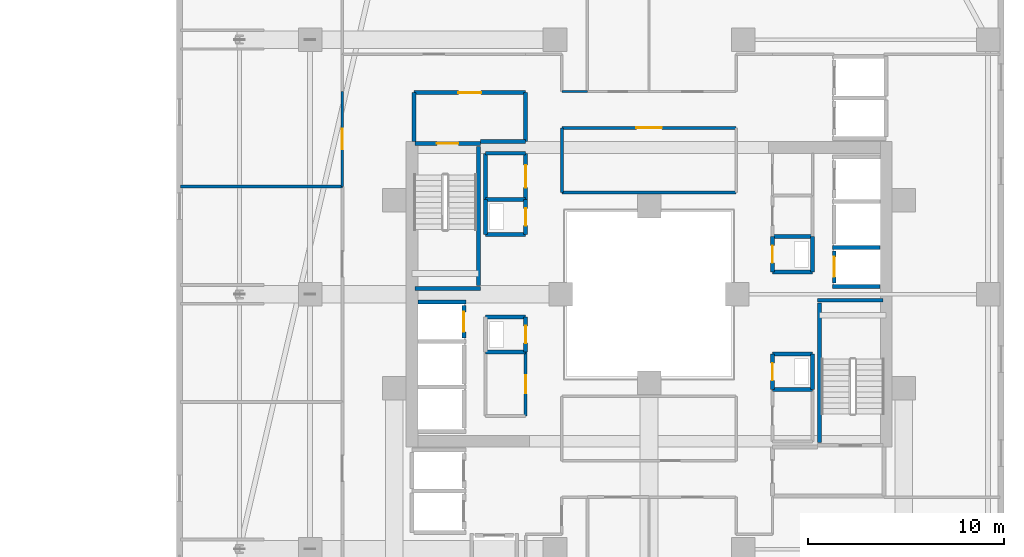
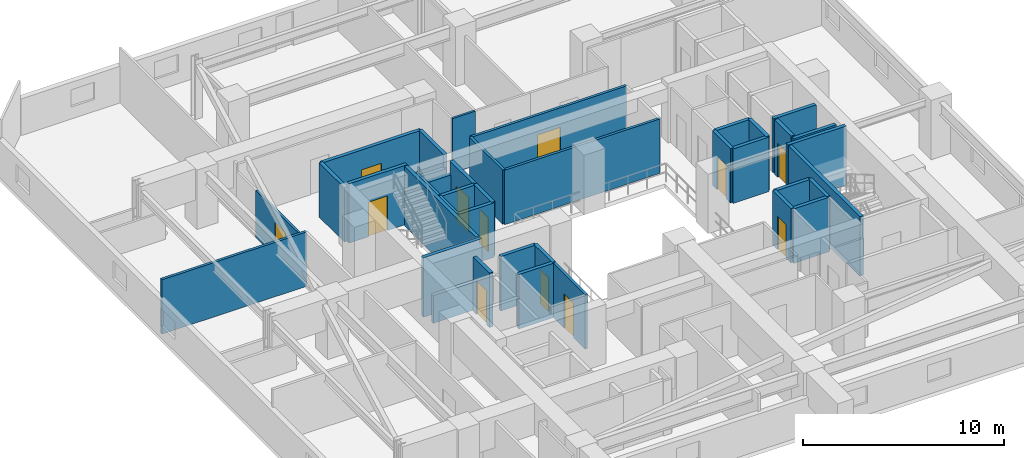
# One storey, part 27 of 36: 39 walls, 12 doors, 12 openings.
"""IFC4 building model written with IfcOpenShell, lengths in metres."""

from ifc_helpers import new_model, si_unit, direction, frame, frame_2d, origin, place, context, subcontext, project, spatial, rectangle, extrude, material, layer, layer_set, type_object, element, fill, save


model = new_model("IFC4")

# Units and contexts
model_context = context("Model", 3, precision=1e-05, world=origin(), true_north=direction((0.0, 1.0)))
body_context = subcontext(model_context, "Body", "Model", "MODEL_VIEW")
ifc_project = project(units=[si_unit("LENGTHUNIT", "METRE"), si_unit("AREAUNIT", "SQUARE_METRE"), si_unit("VOLUMEUNIT", "CUBIC_METRE"), si_unit("PLANEANGLEUNIT", "RADIAN"), si_unit("MASSUNIT", "GRAM", prefix="KILO")], contexts=[model_context])

# Site, building, storey
site_placement = place(None, origin())
site = spatial("IfcSite", under=ifc_project, at=site_placement, CompositionType="ELEMENT")
building_placement = place(site_placement, origin())
building = spatial("IfcBuilding", under=site, at=building_placement, Name="Thornwick Lancets Civic Towers", CompositionType="ELEMENT")
storey_placement = place(building_placement, frame((0.0, 0.0, 94.5)))
storey = spatial("IfcBuildingStorey", under=building, at=storey_placement, Name="L24", CompositionType="ELEMENT", Elevation=94.5)

# Wall, opening, door
ifc_material_1 = material(Name="Concrete blockwork C40/50", Category="masonry")
ifc_layer_1 = layer(ifc_material_1, 0.199951171875, Name="Concrete blockwork C40/50")
ifc_layer_set_1 = layer_set([ifc_layer_1], Name="Concrete blockwork C40/50")
wall_type_1 = type_object("IfcWallType", Name="WALL_COMP_200", PredefinedType="STANDARD", material=ifc_layer_set_1)
wall_1_placement = place(storey_placement, frame((97.949951171875, 29.219970703125, 0.0), z_axis=(0.0, 0.0, 1.0), x_axis=(0.0, -1.0, 0.0)))
wall_1 = element("IfcWall", 1, at=wall_1_placement, inside=storey, type_object=wall_type_1, Name="L24 Hoistway Front Wall FL-B1", PredefinedType="STANDARD", context=body_context, shape_type="SweptSolid", body=[
    extrude(rectangle(XDim=1.639892578125, YDim=0.199951171875, at=frame_2d((0.81982421875, 0.0))), origin(), (0.0, 0.0, 1.0), 3.300048828125),
])
opening_1_placement = place(wall_1_placement, frame((0.31005859375, 0.0, 0.0)))
opening_1 = element("IfcOpeningElement", 2, at=opening_1_placement, cuts=wall_1, Name="Opening LD-FL-B1", PredefinedType="OPENING", context=body_context, shape_type="SweptSolid", body=[
    extrude(rectangle(XDim=1.02001953125, YDim=2.06005859375, at=frame_2d((0.510009765625, 1.030029296875))), frame((0.0, 0.10986328125, 0.0), z_axis=(0.0, -1.0, 0.0), x_axis=(1.0, 0.0, 0.0)), (0.0, 0.0, 1.0), 0.219970703125),
])
ifc_material_2 = material(Name="Brushed bronze stainless steel", Category="steel")
door_type_1 = type_object("IfcDoorType", Name="DOOR_LIFT_SLIDE", OperationType="SLIDING_TO_LEFT", PredefinedType="DOOR", material=ifc_material_2)
door_1_placement = place(opening_1_placement, origin())
door_1 = element("IfcDoor", 3, at=door_1_placement, inside=storey, type_object=door_type_1, Name="L24 Sliding Lift Landing Door LD-FL-B1", OperationType="SLIDING_TO_LEFT", OverallHeight=2.06005859375, OverallWidth=1.02001953125, PredefinedType="DOOR", context=body_context, shape_type="SweptSolid", body=[
    extrude(rectangle(XDim=1.02001953125, YDim=2.06005859375, at=frame_2d((0.510009765625, 1.030029296875))), frame((0.0, 0.02490234375, 0.0), z_axis=(0.0, -1.0, 0.0), x_axis=(1.0, 0.0, 0.0)), (0.0, 0.0, 1.0), 0.050048828125),
])
fill(opening_1, door_1)

wall_2_placement = place(storey_placement, frame((79.050048828125, 24.780029296875, 0.0), z_axis=(0.0, 0.0, 1.0), x_axis=(0.0, 1.0, 0.0)))
wall_2 = element("IfcWall", 4, at=wall_2_placement, inside=storey, type_object=wall_type_1, Name="L24 Hoistway Front Wall FL-B2", PredefinedType="STANDARD", context=body_context, shape_type="SweptSolid", body=[
    extrude(rectangle(XDim=1.639892578125, YDim=0.199951171875, at=frame_2d((0.81982421875, 0.0))), origin(), (0.0, 0.0, 1.0), 3.300048828125),
])
opening_2_placement = place(wall_2_placement, frame((0.31005859375, 0.0, 0.0)))
opening_2 = element("IfcOpeningElement", 5, at=opening_2_placement, cuts=wall_2, Name="Opening LD-FL-B2", PredefinedType="OPENING", context=body_context, shape_type="SweptSolid", body=[
    extrude(rectangle(XDim=1.02001953125, YDim=2.06005859375, at=frame_2d((0.510009765625, 1.030029296875))), frame((0.0, 0.10986328125, 0.0), z_axis=(0.0, -1.0, 0.0), x_axis=(1.0, 0.0, 0.0)), (0.0, 0.0, 1.0), 0.219970703125),
])
door_2_placement = place(opening_2_placement, origin())
door_2 = element("IfcDoor", 6, at=door_2_placement, inside=storey, type_object=door_type_1, Name="L24 Sliding Lift Landing Door LD-FL-B2", OperationType="SLIDING_TO_LEFT", OverallHeight=2.06005859375, OverallWidth=1.02001953125, PredefinedType="DOOR", context=body_context, shape_type="SweptSolid", body=[
    extrude(rectangle(XDim=1.02001953125, YDim=2.06005859375, at=frame_2d((0.510009765625, 1.030029296875))), frame((0.0, 0.02490234375, 0.0), z_axis=(0.0, -1.0, 0.0), x_axis=(1.0, 0.0, 0.0)), (0.0, 0.0, 1.0), 0.050048828125),
])
fill(opening_2, door_2)

# Walls
for number, where, z_axis, x_axis, name in (
    (7, (97.85205078125, 29.39990234375, 0.0), (0.0, 0.0, 1.0), (1.0, 0.0, 0.0), "L24 Hoistway Shaft Wall FL-B1 N"),
    (8, (97.85205078125, 27.39990234375, 0.0), (0.0, 0.0, 1.0), (1.0, 0.0, 0.0), "L24 Hoistway Shaft Wall FL-B1 S"),
):
    element("IfcWall", number, at=place(storey_placement, frame(where, z_axis=z_axis, x_axis=x_axis)), inside=storey, type_object=wall_type_1, Name=name, PredefinedType="STANDARD", context=body_context, shape_type="SweptSolid", body=[
        extrude(rectangle(XDim=2.43603515625, YDim=0.199951171875, at=frame_2d((1.218017578125, 0.0))), origin(), (0.0, 0.0, 1.0), 3.300048828125),
    ])
wall_3_placement = place(storey_placement, frame((76.7119140625, 26.60009765625, 0.0), z_axis=(0.0, 0.0, 1.0), x_axis=(1.0, 0.0, 0.0)))
element("IfcWall", 9, at=wall_3_placement, inside=storey, type_object=wall_type_1, Name="L24 Hoistway Shaft Wall FL-B2 N", PredefinedType="STANDARD", context=body_context, shape_type="SweptSolid", body=[
    extrude(rectangle(XDim=2.43603515625, YDim=0.199951171875, at=frame_2d((1.218017578125, 0.0))), origin(), (0.0, 0.0, 1.0), 1.68505859375),
])
wall_4_placement = place(storey_placement, frame((79.89990234375, 34.800048828125, 0.0), z_axis=(0.0, 0.0, 1.0), x_axis=(1.0, 0.0, 0.0)))
element("IfcWall", 10, at=wall_4_placement, inside=storey, type_object=wall_type_1, Name="L24 Partition L24-B-FFLOB2 E1", PredefinedType="STANDARD", context=body_context, shape_type="SweptSolid", body=[
    extrude(rectangle(XDim=2.300048828125, YDim=0.199951171875, at=frame_2d((1.14990234375, 0.0))), origin(), (0.0, 0.0, 1.0), 2.5048828125),
])
wall_5_placement = place(storey_placement, frame((82.199951171875, 34.800048828125, 0.0), z_axis=(0.0, 0.0, 1.0), x_axis=(0.0, 1.0, 0.0)))
element("IfcWall", 11, at=wall_5_placement, inside=storey, type_object=wall_type_1, Name="L24 Partition L24-B-FFLOB2 E2", PredefinedType="STANDARD", context=body_context, shape_type="SweptSolid", body=[
    extrude(rectangle(XDim=2.5, YDim=0.199951171875, at=frame_2d((1.25, 0.0))), origin(), (0.0, 0.0, 1.0), 3.300048828125),
])

# Wall, opening, door
wall_6_placement = place(storey_placement, frame((82.199951171875, 37.300048828125, 0.0), z_axis=(0.0, 0.0, 1.0), x_axis=(-1.0, 0.0, 0.0)))
wall_6 = element("IfcWall", 12, at=wall_6_placement, inside=storey, type_object=wall_type_1, Name="L24 Partition L24-B-FFLOB2 E3", PredefinedType="STANDARD", context=body_context, shape_type="SweptSolid", body=[
    extrude(rectangle(XDim=5.699951171875, YDim=0.199951171875, at=frame_2d((2.85009765625, 0.0))), origin(), (0.0, 0.0, 1.0), 3.300048828125),
])
opening_3_placement = place(wall_6_placement, frame((2.27490234375, 0.0, 0.0)))
opening_3 = element("IfcOpeningElement", 13, at=opening_3_placement, cuts=wall_6, Name="Opening D-L24-1119", PredefinedType="OPENING", context=body_context, shape_type="SweptSolid", body=[
    extrude(rectangle(XDim=1.14990234375, YDim=2.10009765625, at=frame_2d((0.574951171875, 1.050048828125))), frame((0.0, 0.10986328125, 0.0), z_axis=(0.0, -1.0, 0.0), x_axis=(1.0, 0.0, 0.0)), (0.0, 0.0, 1.0), 0.219970703125),
])
ifc_material_3 = material(Name="Glazed fire-resisting steel", Category="steel")
door_type_2 = type_object("IfcDoorType", Name="DOOR_LOBBY_FD60", OperationType="NOTDEFINED", PredefinedType="DOOR", material=ifc_material_3)
door_3_placement = place(opening_3_placement, origin())
door_3 = element("IfcDoor", 14, at=door_3_placement, inside=storey, type_object=door_type_2, Name="L24 West Firefighting Lobby 2 Door", OperationType="SINGLE_SWING_RIGHT", OverallHeight=2.10009765625, OverallWidth=1.14990234375, PredefinedType="DOOR", context=body_context, shape_type="SweptSolid", body=[
    extrude(rectangle(XDim=1.14990234375, YDim=2.10009765625, at=frame_2d((0.574951171875, 1.050048828125))), frame((0.0, 0.02490234375, 0.0), z_axis=(0.0, -1.0, 0.0), x_axis=(1.0, 0.0, 0.0)), (0.0, 0.0, 1.0), 0.050048828125),
])
fill(opening_3, door_3)

# Walls
wall_7_placement = place(storey_placement, frame((76.5, 37.300048828125, 0.0), z_axis=(0.0, 0.0, 1.0), x_axis=(0.0, -1.0, 0.0)))
element("IfcWall", 15, at=wall_7_placement, inside=storey, type_object=wall_type_1, Name="L24 Partition L24-B-FFLOB2 E4", PredefinedType="STANDARD", context=body_context, shape_type="SweptSolid", body=[
    extrude(rectangle(XDim=2.5, YDim=0.199951171875, at=frame_2d((1.25, 0.0))), origin(), (0.0, 0.0, 1.0), 3.300048828125),
])
wall_8_placement = place(storey_placement, frame((94.800048828125, 28.14990234375, 0.0), z_axis=(0.0, 0.0, 1.0), x_axis=(1.0, 0.0, 0.0)))
element("IfcWall", 16, at=wall_8_placement, inside=storey, type_object=wall_type_1, Name="L24 Partition L24-B-DUCT1 E1", PredefinedType="STANDARD", context=body_context, shape_type="SweptSolid", body=[
    extrude(rectangle(XDim=2.050048828125, YDim=0.199951171875, at=frame_2d((1.02490234375, 0.0))), origin(), (0.0, 0.0, 1.0), 3.300048828125),
])
wall_9_placement = place(storey_placement, frame((96.85009765625, 28.14990234375, 0.0), z_axis=(0.0, 0.0, 1.0), x_axis=(0.0, 1.0, 0.0)))
element("IfcWall", 17, at=wall_9_placement, inside=storey, type_object=wall_type_1, Name="L24 Partition L24-B-DUCT1 E2", PredefinedType="STANDARD", context=body_context, shape_type="SweptSolid", body=[
    extrude(rectangle(XDim=1.800048828125, YDim=0.199951171875, at=frame_2d((0.89990234375, 0.0))), origin(), (0.0, 0.0, 1.0), 3.300048828125),
])
wall_10_placement = place(storey_placement, frame((96.85009765625, 29.949951171875, 0.0), z_axis=(0.0, 0.0, 1.0), x_axis=(-1.0, 0.0, 0.0)))
element("IfcWall", 18, at=wall_10_placement, inside=storey, type_object=wall_type_1, Name="L24 Partition L24-B-DUCT1 E3", PredefinedType="STANDARD", context=body_context, shape_type="SweptSolid", body=[
    extrude(rectangle(XDim=2.050048828125, YDim=0.199951171875, at=frame_2d((1.02490234375, 0.0))), origin(), (0.0, 0.0, 1.0), 3.300048828125),
])

# Wall, opening, door
wall_11_placement = place(storey_placement, frame((94.800048828125, 29.949951171875, 0.0), z_axis=(0.0, 0.0, 1.0), x_axis=(0.0, -1.0, 0.0)))
wall_11 = element("IfcWall", 19, at=wall_11_placement, inside=storey, type_object=wall_type_1, Name="L24 Partition L24-B-DUCT1 E4", PredefinedType="STANDARD", context=body_context, shape_type="SweptSolid", body=[
    extrude(rectangle(XDim=1.800048828125, YDim=0.199951171875, at=frame_2d((0.89990234375, 0.0))), origin(), (0.0, 0.0, 1.0), 3.300048828125),
])
opening_4_placement = place(wall_11_placement, frame((0.4599609375, 0.0, 0.0)))
opening_4 = element("IfcOpeningElement", 20, at=opening_4_placement, cuts=wall_11, Name="Opening D-L24-1120", PredefinedType="OPENING", context=body_context, shape_type="SweptSolid", body=[
    extrude(rectangle(XDim=0.8798828125, YDim=2.0400390625, at=frame_2d((0.43994140625, 1.02001953125))), frame((0.0, 0.10986328125, 0.0), z_axis=(0.0, -1.0, 0.0), x_axis=(1.0, 0.0, 0.0)), (0.0, 0.0, 1.0), 0.219970703125),
])
ifc_material_4 = material(Name="Steel riser access doorset", Category="steel")
door_type_3 = type_object("IfcDoorType", Name="DOOR_RISER_850", OperationType="NOTDEFINED", PredefinedType="DOOR", material=ifc_material_4)
door_4_placement = place(opening_4_placement, origin())
door_4 = element("IfcDoor", 21, at=door_4_placement, inside=storey, type_object=door_type_3, Name="L24 East Service Duct 1 Door", OperationType="SINGLE_SWING_LEFT", OverallHeight=2.0400390625, OverallWidth=0.8798828125, PredefinedType="DOOR", context=body_context, shape_type="SweptSolid", body=[
    extrude(rectangle(XDim=0.8798828125, YDim=2.0400390625, at=frame_2d((0.43994140625, 1.02001953125))), frame((0.0, 0.02490234375, 0.0), z_axis=(0.0, -1.0, 0.0), x_axis=(1.0, 0.0, 0.0)), (0.0, 0.0, 1.0), 0.050048828125),
])
fill(opening_4, door_4)

# Walls
wall_12_placement = place(storey_placement, frame((94.800048828125, 22.14990234375, 0.0), z_axis=(0.0, 0.0, 1.0), x_axis=(1.0, 0.0, 0.0)))
element("IfcWall", 22, at=wall_12_placement, inside=storey, type_object=wall_type_1, Name="L24 Partition L24-B-RISER1 E1", PredefinedType="STANDARD", context=body_context, shape_type="SweptSolid", body=[
    extrude(rectangle(XDim=2.050048828125, YDim=0.199951171875, at=frame_2d((1.02490234375, 0.0))), origin(), (0.0, 0.0, 1.0), 3.300048828125),
])
wall_13_placement = place(storey_placement, frame((96.85009765625, 22.14990234375, 0.0), z_axis=(0.0, 0.0, 1.0), x_axis=(0.0, 1.0, 0.0)))
element("IfcWall", 23, at=wall_13_placement, inside=storey, type_object=wall_type_1, Name="L24 Partition L24-B-RISER1 E2", PredefinedType="STANDARD", context=body_context, shape_type="SweptSolid", body=[
    extrude(rectangle(XDim=1.800048828125, YDim=0.199951171875, at=frame_2d((0.89990234375, 0.0))), origin(), (0.0, 0.0, 1.0), 3.300048828125),
])
wall_14_placement = place(storey_placement, frame((96.85009765625, 23.949951171875, 0.0), z_axis=(0.0, 0.0, 1.0), x_axis=(-1.0, 0.0, 0.0)))
element("IfcWall", 24, at=wall_14_placement, inside=storey, type_object=wall_type_1, Name="L24 Partition L24-B-RISER1 E3", PredefinedType="STANDARD", context=body_context, shape_type="SweptSolid", body=[
    extrude(rectangle(XDim=2.050048828125, YDim=0.199951171875, at=frame_2d((1.02490234375, 0.0))), origin(), (0.0, 0.0, 1.0), 3.300048828125),
])

# Wall, opening, door
wall_15_placement = place(storey_placement, frame((94.800048828125, 23.949951171875, 0.0), z_axis=(0.0, 0.0, 1.0), x_axis=(0.0, -1.0, 0.0)))
wall_15 = element("IfcWall", 25, at=wall_15_placement, inside=storey, type_object=wall_type_1, Name="L24 Partition L24-B-RISER1 E4", PredefinedType="STANDARD", context=body_context, shape_type="SweptSolid", body=[
    extrude(rectangle(XDim=1.800048828125, YDim=0.199951171875, at=frame_2d((0.89990234375, 0.0))), origin(), (0.0, 0.0, 1.0), 3.300048828125),
])
opening_5_placement = place(wall_15_placement, frame((0.4599609375, 0.0, 0.0)))
opening_5 = element("IfcOpeningElement", 26, at=opening_5_placement, cuts=wall_15, Name="Opening D-L24-1121", PredefinedType="OPENING", context=body_context, shape_type="SweptSolid", body=[
    extrude(rectangle(XDim=0.8798828125, YDim=2.0400390625, at=frame_2d((0.43994140625, 1.02001953125))), frame((0.0, 0.10986328125, 0.0), z_axis=(0.0, -1.0, 0.0), x_axis=(1.0, 0.0, 0.0)), (0.0, 0.0, 1.0), 0.219970703125),
])
door_5_placement = place(opening_5_placement, origin())
door_5 = element("IfcDoor", 27, at=door_5_placement, inside=storey, type_object=door_type_3, Name="L24 East Electrical Riser 1 Door", OperationType="SINGLE_SWING_RIGHT", OverallHeight=2.0400390625, OverallWidth=0.8798828125, PredefinedType="DOOR", context=body_context, shape_type="SweptSolid", body=[
    extrude(rectangle(XDim=0.8798828125, YDim=2.0400390625, at=frame_2d((0.43994140625, 1.02001953125))), frame((0.0, 0.02490234375, 0.0), z_axis=(0.0, -1.0, 0.0), x_axis=(1.0, 0.0, 0.0)), (0.0, 0.0, 1.0), 0.050048828125),
])
fill(opening_5, door_5)

# Wall
wall_16_placement = place(storey_placement, frame((80.14990234375, 24.050048828125, 0.0), z_axis=(0.0, 0.0, 1.0), x_axis=(1.0, 0.0, 0.0)))
element("IfcWall", 28, at=wall_16_placement, inside=storey, type_object=wall_type_1, Name="L24 Partition L24-B-DUCT2 E1", PredefinedType="STANDARD", context=body_context, shape_type="SweptSolid", body=[
    extrude(rectangle(XDim=2.050048828125, YDim=0.199951171875, at=frame_2d((1.02490234375, 0.0))), origin(), (0.0, 0.0, 1.0), 3.300048828125),
])

# Wall, opening, door
wall_17_placement = place(storey_placement, frame((82.199951171875, 24.050048828125, 0.0), z_axis=(0.0, 0.0, 1.0), x_axis=(0.0, 1.0, 0.0)))
wall_17 = element("IfcWall", 29, at=wall_17_placement, inside=storey, type_object=wall_type_1, Name="L24 Partition L24-B-DUCT2 E2", PredefinedType="STANDARD", context=body_context, shape_type="SweptSolid", body=[
    extrude(rectangle(XDim=1.800048828125, YDim=0.199951171875, at=frame_2d((0.89990234375, 0.0))), origin(), (0.0, 0.0, 1.0), 3.300048828125),
])
opening_6_placement = place(wall_17_placement, frame((0.4599609375, 0.0, 0.0)))
opening_6 = element("IfcOpeningElement", 30, at=opening_6_placement, cuts=wall_17, Name="Opening D-L24-1122", PredefinedType="OPENING", context=body_context, shape_type="SweptSolid", body=[
    extrude(rectangle(XDim=0.8798828125, YDim=2.0400390625, at=frame_2d((0.43994140625, 1.02001953125))), frame((0.0, 0.10986328125, 0.0), z_axis=(0.0, -1.0, 0.0), x_axis=(1.0, 0.0, 0.0)), (0.0, 0.0, 1.0), 0.219970703125),
])
door_6_placement = place(opening_6_placement, origin())
door_6 = element("IfcDoor", 31, at=door_6_placement, inside=storey, type_object=door_type_3, Name="L24 West Service Duct 2 Door", OperationType="SINGLE_SWING_LEFT", OverallHeight=2.0400390625, OverallWidth=0.8798828125, PredefinedType="DOOR", context=body_context, shape_type="SweptSolid", body=[
    extrude(rectangle(XDim=0.8798828125, YDim=2.0400390625, at=frame_2d((0.43994140625, 1.02001953125))), frame((0.0, 0.02490234375, 0.0), z_axis=(0.0, -1.0, 0.0), x_axis=(1.0, 0.0, 0.0)), (0.0, 0.0, 1.0), 0.050048828125),
])
fill(opening_6, door_6)

# Walls
for number, where, z_axis, x_axis, name in (
    (32, (82.199951171875, 25.85009765625, 0.0), (0.0, 0.0, 1.0), (-1.0, 0.0, 0.0), "L24 Partition L24-B-DUCT2 E3"),
    (33, (80.14990234375, 30.050048828125, 0.0), (0.0, 0.0, 1.0), (1.0, 0.0, 0.0), "L24 Partition L24-B-RISER2 E1"),
):
    element("IfcWall", number, at=place(storey_placement, frame(where, z_axis=z_axis, x_axis=x_axis)), inside=storey, type_object=wall_type_1, Name=name, PredefinedType="STANDARD", context=body_context, shape_type="SweptSolid", body=[
        extrude(rectangle(XDim=2.050048828125, YDim=0.199951171875, at=frame_2d((1.02490234375, 0.0))), origin(), (0.0, 0.0, 1.0), 3.300048828125),
    ])

# Wall, opening, door
wall_18_placement = place(storey_placement, frame((82.199951171875, 30.050048828125, 0.0), z_axis=(0.0, 0.0, 1.0), x_axis=(0.0, 1.0, 0.0)))
wall_18 = element("IfcWall", 34, at=wall_18_placement, inside=storey, type_object=wall_type_1, Name="L24 Partition L24-B-RISER2 E2", PredefinedType="STANDARD", context=body_context, shape_type="SweptSolid", body=[
    extrude(rectangle(XDim=1.800048828125, YDim=0.199951171875, at=frame_2d((0.89990234375, 0.0))), origin(), (0.0, 0.0, 1.0), 3.300048828125),
])
opening_7_placement = place(wall_18_placement, frame((0.4599609375, 0.0, 0.0)))
opening_7 = element("IfcOpeningElement", 35, at=opening_7_placement, cuts=wall_18, Name="Opening D-L24-1123", PredefinedType="OPENING", context=body_context, shape_type="SweptSolid", body=[
    extrude(rectangle(XDim=0.8798828125, YDim=2.0400390625, at=frame_2d((0.43994140625, 1.02001953125))), frame((0.0, 0.10986328125, 0.0), z_axis=(0.0, -1.0, 0.0), x_axis=(1.0, 0.0, 0.0)), (0.0, 0.0, 1.0), 0.219970703125),
])
door_7_placement = place(opening_7_placement, origin())
door_7 = element("IfcDoor", 36, at=door_7_placement, inside=storey, type_object=door_type_3, Name="L24 West Service Riser 2 Door", OperationType="SINGLE_SWING_RIGHT", OverallHeight=2.0400390625, OverallWidth=0.8798828125, PredefinedType="DOOR", context=body_context, shape_type="SweptSolid", body=[
    extrude(rectangle(XDim=0.8798828125, YDim=2.0400390625, at=frame_2d((0.43994140625, 1.02001953125))), frame((0.0, 0.02490234375, 0.0), z_axis=(0.0, -1.0, 0.0), x_axis=(1.0, 0.0, 0.0)), (0.0, 0.0, 1.0), 0.050048828125),
])
fill(opening_7, door_7)

# Walls
wall_19_placement = place(storey_placement, frame((82.199951171875, 31.85009765625, 0.0), z_axis=(0.0, 0.0, 1.0), x_axis=(-1.0, 0.0, 0.0)))
element("IfcWall", 37, at=wall_19_placement, inside=storey, type_object=wall_type_1, Name="L24 Partition L24-B-RISER2 E3", PredefinedType="STANDARD", context=body_context, shape_type="SweptSolid", body=[
    extrude(rectangle(XDim=2.050048828125, YDim=0.199951171875, at=frame_2d((1.02490234375, 0.0))), origin(), (0.0, 0.0, 1.0), 3.300048828125),
])
wall_20_placement = place(storey_placement, frame((80.14990234375, 31.85009765625, 0.0), z_axis=(0.0, 0.0, 1.0), x_axis=(0.0, -1.0, 0.0)))
element("IfcWall", 38, at=wall_20_placement, inside=storey, type_object=wall_type_1, Name="L24 Partition L24-B-RISER2 E4", PredefinedType="STANDARD", context=body_context, shape_type="SweptSolid", body=[
    extrude(rectangle(XDim=1.800048828125, YDim=0.199951171875, at=frame_2d((0.89990234375, 0.0))), origin(), (0.0, 0.0, 1.0), 3.300048828125),
])
wall_21_placement = place(storey_placement, frame((80.14990234375, 31.85009765625, 0.0), z_axis=(0.0, 0.0, 1.0), x_axis=(0.0, 1.0, 0.0)))
element("IfcWall", 39, at=wall_21_placement, inside=storey, type_object=wall_type_1, Name="L24 Partition L24-B-STR E1", PredefinedType="STANDARD", context=body_context, shape_type="SweptSolid", body=[
    extrude(rectangle(XDim=2.349853515625, YDim=0.199951171875, at=frame_2d((1.1748046875, 0.0))), origin(), (0.0, 0.0, 1.0), 3.300048828125),
])
wall_22_placement = place(storey_placement, frame((80.14990234375, 34.199951171875, 0.0), z_axis=(0.0, 0.0, 1.0), x_axis=(1.0, 0.0, 0.0)))
element("IfcWall", 40, at=wall_22_placement, inside=storey, type_object=wall_type_1, Name="L24 Partition L24-B-STR E2", PredefinedType="STANDARD", context=body_context, shape_type="SweptSolid", body=[
    extrude(rectangle(XDim=2.050048828125, YDim=0.199951171875, at=frame_2d((1.02490234375, 0.0))), origin(), (0.0, 0.0, 1.0), 2.5048828125),
])

# Wall, opening, door
wall_23_placement = place(storey_placement, frame((82.199951171875, 34.199951171875, 0.0), z_axis=(0.0, 0.0, 1.0), x_axis=(0.0, -1.0, 0.0)))
wall_23 = element("IfcWall", 41, at=wall_23_placement, inside=storey, type_object=wall_type_1, Name="L24 Partition L24-B-STR E3", PredefinedType="STANDARD", context=body_context, shape_type="SweptSolid", body=[
    extrude(rectangle(XDim=2.349853515625, YDim=0.199951171875, at=frame_2d((1.1748046875, 0.0))), origin(), (0.0, 0.0, 1.0), 3.300048828125),
])
opening_8_placement = place(wall_23_placement, frame((0.60009765625, 0.0, 0.0)))
opening_8 = element("IfcOpeningElement", 42, at=opening_8_placement, cuts=wall_23, Name="Opening D-L24-1128", PredefinedType="OPENING", context=body_context, shape_type="SweptSolid", body=[
    extrude(rectangle(XDim=1.14990234375, YDim=2.10009765625, at=frame_2d((0.574951171875, 1.050048828125))), frame((0.0, 0.10986328125, 0.0), z_axis=(0.0, -1.0, 0.0), x_axis=(1.0, 0.0, 0.0)), (0.0, 0.0, 1.0), 0.219970703125),
])
door_8_placement = place(opening_8_placement, origin())
door_8 = element("IfcDoor", 43, at=door_8_placement, inside=storey, type_object=door_type_2, Name="L24 Tower B Core Equipment Store Door", OperationType="SINGLE_SWING_LEFT", OverallHeight=2.10009765625, OverallWidth=1.14990234375, PredefinedType="DOOR", context=body_context, shape_type="SweptSolid", body=[
    extrude(rectangle(XDim=1.14990234375, YDim=2.10009765625, at=frame_2d((0.574951171875, 1.050048828125))), frame((0.0, 0.02490234375, 0.0), z_axis=(0.0, -1.0, 0.0), x_axis=(1.0, 0.0, 0.0)), (0.0, 0.0, 1.0), 0.050048828125),
])
fill(opening_8, door_8)

# Wall
ifc_material_5 = material(Name="Acoustic gypsum board partition")
ifc_layer_2 = layer(ifc_material_5, 0.1201171875, Name="Acoustic gypsum board partition")
ifc_layer_set_2 = layer_set([ifc_layer_2], Name="Acoustic gypsum board partition")
wall_type_2 = type_object("IfcWallType", Name="WALL_PART_120", PredefinedType="PARTITIONING", material=ifc_layer_set_2)
wall_24_placement = place(storey_placement, frame((85.35009765625, 37.35009765625, 0.0), z_axis=(0.0, 0.0, 1.0), x_axis=(-1.0, 0.0, 0.0)))
element("IfcWall", 44, at=wall_24_placement, inside=storey, type_object=wall_type_2, Name="L24 Partition L24-B-E3 E7", PredefinedType="PARTITIONING", context=body_context, shape_type="SweptSolid", body=[
    extrude(rectangle(XDim=1.300048828125, YDim=0.1201171875, at=frame_2d((0.64990234375, 0.0))), origin(), (0.0, 0.0, 1.0), 3.300048828125),
])

# Wall, opening, door
wall_25_placement = place(storey_placement, frame((72.85009765625, 37.35009765625, 0.0), z_axis=(0.0, 0.0, 1.0), x_axis=(0.0, -1.0, 0.0)))
wall_25 = element("IfcWall", 45, at=wall_25_placement, inside=storey, type_object=wall_type_2, Name="L24 Partition L24-B-N-OFF E10", PredefinedType="PARTITIONING", context=body_context, shape_type="SweptSolid", body=[
    extrude(rectangle(XDim=4.85009765625, YDim=0.1201171875, at=frame_2d((2.425048828125, 0.0))), origin(), (0.0, 0.0, 1.0), 2.85498046875),
])
opening_9_placement = place(wall_25_placement, frame((1.89990234375, 0.0, 0.0)))
opening_9 = element("IfcOpeningElement", 46, at=opening_9_placement, cuts=wall_25, Name="Opening D-L24-1150", PredefinedType="OPENING", context=body_context, shape_type="SweptSolid", body=[
    extrude(rectangle(XDim=1.050048828125, YDim=2.10009765625, at=frame_2d((0.52490234375, 1.050048828125))), frame((0.0, 0.070068359375, 0.0), z_axis=(0.0, -1.0, 0.0), x_axis=(1.0, 0.0, 0.0)), (0.0, 0.0, 1.0), 0.14013671875),
])
ifc_material_6 = material(Name="Glazed European oak executive doorset")
door_type_4 = type_object("IfcDoorType", Name="DOOR_OFFICE_1050", OperationType="NOTDEFINED", PredefinedType="DOOR", material=ifc_material_6)
door_9_placement = place(opening_9_placement, origin())
door_9 = element("IfcDoor", 47, at=door_9_placement, inside=storey, type_object=door_type_4, Name="L24 Tower B North-East Policy Office Door", OperationType="SINGLE_SWING_LEFT", OverallHeight=2.10009765625, OverallWidth=1.050048828125, PredefinedType="DOOR", context=body_context, shape_type="SweptSolid", body=[
    extrude(rectangle(XDim=1.050048828125, YDim=2.10009765625, at=frame_2d((0.52490234375, 1.050048828125))), frame((0.0, 0.02490234375, 0.0), z_axis=(0.0, -1.0, 0.0), x_axis=(1.0, 0.0, 0.0)), (0.0, 0.0, 1.0), 0.050048828125),
])
fill(opening_9, door_9)

ifc_material_7 = material(Name="Twin-stud acoustic gypsum board")
ifc_layer_3 = layer(ifc_material_7, 0.14990234375, Name="Twin-stud acoustic gypsum board")
ifc_layer_set_3 = layer_set([ifc_layer_3], Name="Twin-stud acoustic gypsum board")
wall_type_3 = type_object("IfcWallType", Name="WALL_PART_150", PredefinedType="PARTITIONING", material=ifc_layer_set_3)
wall_26_placement = place(storey_placement, frame((82.199951171875, 24.050048828125, 0.0), z_axis=(0.0, 0.0, 1.0), x_axis=(0.0, -1.0, 0.0)))
wall_26 = element("IfcWall", 48, at=wall_26_placement, inside=storey, type_object=wall_type_3, Name="L24 Partition L24-B-FWC E4", PredefinedType="PARTITIONING", context=body_context, shape_type="SweptSolid", body=[
    extrude(rectangle(XDim=3.25, YDim=0.14990234375, at=frame_2d((1.625, 0.0))), origin(), (0.0, 0.0, 1.0), 3.300048828125),
])
opening_10_placement = place(wall_26_placement, frame((1.1650390625, 0.0, 0.0)))
opening_10 = element("IfcOpeningElement", 49, at=opening_10_placement, cuts=wall_26, Name="Opening D-L24-1127", PredefinedType="OPENING", context=body_context, shape_type="SweptSolid", body=[
    extrude(rectangle(XDim=0.919921875, YDim=2.080078125, at=frame_2d((0.4599609375, 1.0400390625))), frame((0.0, 0.0849609375, 0.0), z_axis=(0.0, -1.0, 0.0), x_axis=(1.0, 0.0, 0.0)), (0.0, 0.0, 1.0), 0.169921875),
])
ifc_material_8 = material(Name="Moisture-resistant oak doorset")
door_type_5 = type_object("IfcDoorType", Name="DOOR_WC_900", OperationType="NOTDEFINED", PredefinedType="DOOR", material=ifc_material_8)
door_10_placement = place(opening_10_placement, origin())
door_10 = element("IfcDoor", 50, at=door_10_placement, inside=storey, type_object=door_type_5, Name="L24 Tower B Female WC Door", OperationType="SINGLE_SWING_RIGHT", OverallHeight=2.080078125, OverallWidth=0.919921875, PredefinedType="DOOR", context=body_context, shape_type="SweptSolid", body=[
    extrude(rectangle(XDim=0.919921875, YDim=2.080078125, at=frame_2d((0.4599609375, 1.0400390625))), frame((0.0, 0.02490234375, 0.0), z_axis=(0.0, -1.0, 0.0), x_axis=(1.0, 0.0, 0.0)), (0.0, 0.0, 1.0), 0.050048828125),
])
fill(opening_10, door_10)

# Wall
wall_27_placement = place(storey_placement, frame((84.050048828125, 32.199951171875, 0.0), z_axis=(0.0, 0.0, 1.0), x_axis=(0.0, 1.0, 0.0)))
element("IfcWall", 51, at=wall_27_placement, inside=storey, type_object=wall_type_3, Name="L24 Partition L24-B-ATR-E E1", PredefinedType="PARTITIONING", context=body_context, shape_type="SweptSolid", body=[
    extrude(rectangle(XDim=3.300048828125, YDim=0.14990234375, at=frame_2d((1.64990234375, 0.0))), origin(), (0.0, 0.0, 1.0), 3.300048828125),
])

# Wall, opening, door
wall_28_placement = place(storey_placement, frame((84.050048828125, 35.5, 0.0), z_axis=(0.0, 0.0, 1.0), x_axis=(1.0, 0.0, 0.0)))
wall_28 = element("IfcWall", 52, at=wall_28_placement, inside=storey, type_object=wall_type_3, Name="L24 Partition L24-B-ATR-E E2", PredefinedType="PARTITIONING", context=body_context, shape_type="SweptSolid", body=[
    extrude(rectangle(XDim=8.89990234375, YDim=0.14990234375, at=frame_2d((4.449951171875, 0.0))), origin(), (0.0, 0.0, 1.0), 3.300048828125),
])
opening_11_placement = place(wall_28_placement, frame((3.800048828125, 0.0, 0.0)))
opening_11 = element("IfcOpeningElement", 53, at=opening_11_placement, cuts=wall_28, Name="Opening D-L24-1146", PredefinedType="OPENING", context=body_context, shape_type="SweptSolid", body=[
    extrude(rectangle(XDim=1.300048828125, YDim=2.1201171875, at=frame_2d((0.64990234375, 1.06005859375))), frame((0.0, 0.0849609375, 0.0), z_axis=(0.0, -1.0, 0.0), x_axis=(1.0, 0.0, 0.0)), (0.0, 0.0, 1.0), 0.169921875),
])
ifc_material_9 = material(Name="Acoustic oak leaf-and-a-half doorset")
door_type_6 = type_object("IfcDoorType", Name="DOOR_MEET_1300", OperationType="DOUBLE_DOOR_SINGLE_SWING", PredefinedType="DOOR", material=ifc_material_9)
door_11_placement = place(opening_11_placement, origin())
door_11 = element("IfcDoor", 54, at=door_11_placement, inside=storey, type_object=door_type_6, Name="L24 Tower B East Atrium Briefing Suite Door", OperationType="DOUBLE_DOOR_SINGLE_SWING", OverallHeight=2.1201171875, OverallWidth=1.300048828125, PredefinedType="DOOR", context=body_context, shape_type="SweptSolid", body=[
    extrude(rectangle(XDim=1.300048828125, YDim=2.1201171875, at=frame_2d((0.64990234375, 1.06005859375))), frame((0.0, 0.02490234375, 0.0), z_axis=(0.0, -1.0, 0.0), x_axis=(1.0, 0.0, 0.0)), (0.0, 0.0, 1.0), 0.050048828125),
])
fill(opening_11, door_11)

# Walls
wall_29_placement = place(storey_placement, frame((92.949951171875, 32.199951171875, 0.0), z_axis=(0.0, 0.0, 1.0), x_axis=(-1.0, 0.0, 0.0)))
element("IfcWall", 55, at=wall_29_placement, inside=storey, type_object=wall_type_3, Name="L24 Partition L24-B-ATR-E E4", PredefinedType="PARTITIONING", context=body_context, shape_type="SweptSolid", body=[
    extrude(rectangle(XDim=8.89990234375, YDim=0.14990234375, at=frame_2d((4.449951171875, 0.0))), origin(), (0.0, 0.0, 1.0), 3.300048828125),
])
wall_30_placement = place(storey_placement, frame((64.580078125, 32.5, 0.0), z_axis=(0.0, 0.0, 1.0), x_axis=(1.0, 0.0, 0.0)))
element("IfcWall", 56, at=wall_30_placement, inside=storey, type_object=wall_type_3, Name="L24 Partition L24-B-N-MEET E7", PredefinedType="PARTITIONING", context=body_context, shape_type="SweptSolid", body=[
    extrude(rectangle(XDim=8.27001953125, YDim=0.14990234375, at=frame_2d((4.135009765625, 0.0))), origin(), (0.0, 0.0, 1.0), 3.300048828125),
])
ifc_material_10 = material(Name="Concrete C40/50", Category="concrete")
ifc_layer_4 = layer(ifc_material_10, 0.199951171875, Name="Concrete C40/50")
ifc_layer_set_4 = layer_set([ifc_layer_4], Name="Concrete C40/50")
wall_type_4 = type_object("IfcWallType", Name="WALL_SHAFT_200", PredefinedType="SHEAR", material=ifc_layer_set_4)
wall_31_placement = place(storey_placement, frame((97.10009765625, 26.699951171875, 0.0), z_axis=(0.0, 0.0, 1.0), x_axis=(1.0, 0.0, 0.0)))
element("IfcWall", 57, at=wall_31_placement, inside=storey, type_object=wall_type_4, Name="L24 ST-B1 Fire Stair Core Wall FAR", PredefinedType="SHEAR", context=body_context, shape_type="SweptSolid", body=[
    extrude(rectangle(XDim=3.349853515625, YDim=0.199951171875, at=frame_2d((1.6748046875, 0.0))), origin(), (0.0, 0.0, 1.0), 3.60009765625),
])
wall_32_placement = place(storey_placement, frame((97.202880859375, 26.550048828125, 0.0), z_axis=(0.0, 0.0, 1.0), x_axis=(0.0, -1.0, 0.0)))
element("IfcWall", 58, at=wall_32_placement, inside=storey, type_object=wall_type_4, Name="L24 ST-B1 Fire Stair Core Wall RIGHT", PredefinedType="SHEAR", context=body_context, shape_type="SweptSolid", body=[
    extrude(rectangle(XDim=7.10009765625, YDim=0.199951171875, at=frame_2d((3.550048828125, 0.0))), origin(), (0.0, 0.0, 1.0), 3.60009765625),
])

# Wall, opening, door
wall_33_placement = place(storey_placement, frame((76.550048828125, 34.699951171875, 0.0), z_axis=(0.0, 0.0, 1.0), x_axis=(1.0, 0.0, 0.0)))
wall_33 = element("IfcWall", 59, at=wall_33_placement, inside=storey, type_object=wall_type_4, Name="L24 ST-B2 Fire Stair Core Wall NEAR", PredefinedType="SHEAR", context=body_context, shape_type="SweptSolid", body=[
    extrude(rectangle(XDim=3.349853515625, YDim=0.199951171875, at=frame_2d((1.6748046875, 0.0))), origin(), (0.0, 0.0, 1.0), 3.60009765625),
])
opening_12_placement = place(wall_33_placement, frame((1.125, 0.0, 0.0)))
opening_12 = element("IfcOpeningElement", 60, at=opening_12_placement, cuts=wall_33, Name="Opening D-ST-B2-L24", PredefinedType="OPENING", context=body_context, shape_type="SweptSolid", body=[
    extrude(rectangle(XDim=1.10009765625, YDim=2.10009765625, at=frame_2d((0.550048828125, 1.050048828125))), frame((0.0, 0.10986328125, 0.0), z_axis=(0.0, -1.0, 0.0), x_axis=(1.0, 0.0, 0.0)), (0.0, 0.0, 1.0), 0.219970703125),
])
ifc_material_11 = material(Name="Fire-resisting steel and hardwood", Category="steel")
door_type_7 = type_object("IfcDoorType", Name="DOOR_STAIR_FD60", OperationType="NOTDEFINED", PredefinedType="DOOR", material=ifc_material_11)
door_12_placement = place(opening_12_placement, origin())
door_12 = element("IfcDoor", 61, at=door_12_placement, inside=storey, type_object=door_type_7, Name="L24 ST-B2 Exit Stair Door", OperationType="SINGLE_SWING_LEFT", OverallHeight=2.10009765625, OverallWidth=1.10009765625, PredefinedType="DOOR", context=body_context, shape_type="SweptSolid", body=[
    extrude(rectangle(XDim=1.10009765625, YDim=2.10009765625, at=frame_2d((0.550048828125, 1.050048828125))), frame((0.0, 0.02490234375, 0.0), z_axis=(0.0, -1.0, 0.0), x_axis=(1.0, 0.0, 0.0)), (0.0, 0.0, 1.0), 0.050048828125),
])
fill(opening_12, door_12)

# Walls
wall_34_placement = place(storey_placement, frame((79.89990234375, 27.300048828125, 0.0), z_axis=(0.0, 0.0, 1.0), x_axis=(-1.0, 0.0, 0.0)))
element("IfcWall", 62, at=wall_34_placement, inside=storey, type_object=wall_type_4, Name="L24 ST-B2 Fire Stair Core Wall FAR", PredefinedType="SHEAR", context=body_context, shape_type="SweptSolid", body=[
    extrude(rectangle(XDim=3.349853515625, YDim=0.199951171875, at=frame_2d((1.6748046875, 0.0))), origin(), (0.0, 0.0, 1.0), 3.60009765625),
])
wall_35_placement = place(storey_placement, frame((79.797119140625, 27.449951171875, 0.0), z_axis=(0.0, 0.0, 1.0), x_axis=(0.0, 1.0, 0.0)))
element("IfcWall", 63, at=wall_35_placement, inside=storey, type_object=wall_type_4, Name="L24 ST-B2 Fire Stair Core Wall RIGHT", PredefinedType="SHEAR", context=body_context, shape_type="SweptSolid", body=[
    extrude(rectangle(XDim=7.10009765625, YDim=0.199951171875, at=frame_2d((3.550048828125, 0.0))), origin(), (0.0, 0.0, 1.0), 3.60009765625),
])

save(model, "model.ifc")
